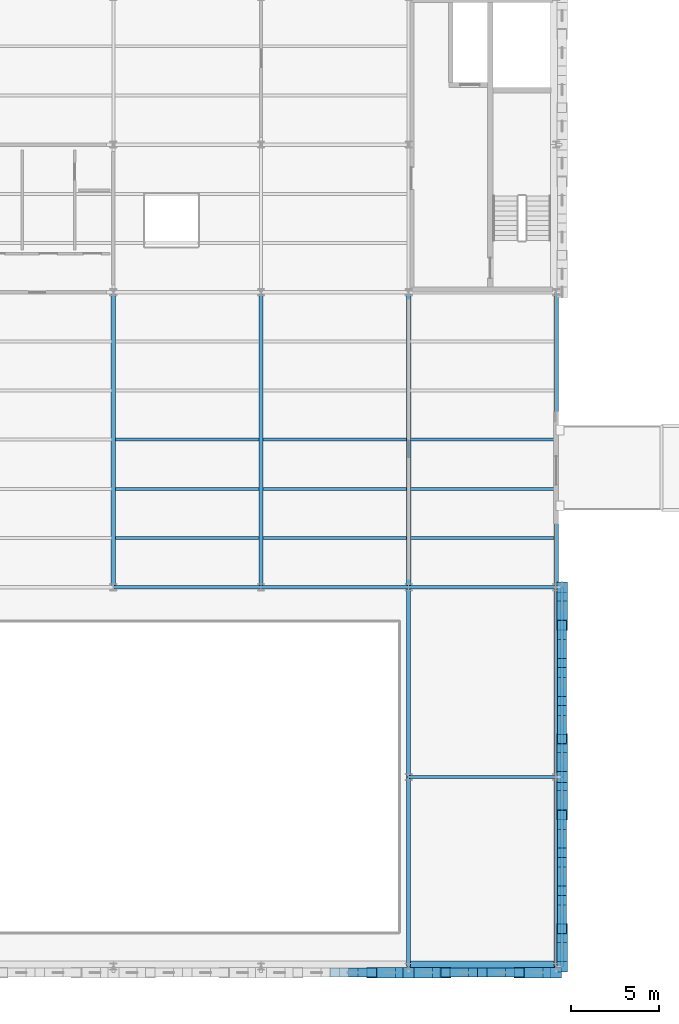
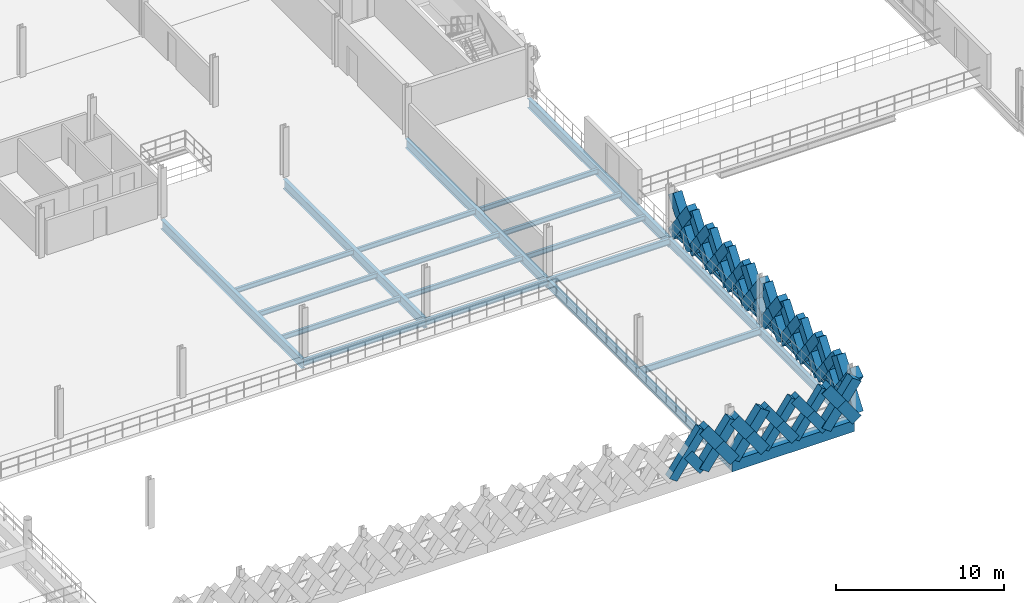
# One storey, part 28 of 101: 49 members, 22 beams.
"""IFC4 building model written with IfcOpenShell, lengths in metres."""

from ifc_helpers import new_model, si_unit, direction, frame, origin, origin_2d, place, context, subcontext, project, spatial, rectangle, hollow_rectangle, i_section, extrude, material, material_profile, profile_set, type_object, element, save


model = new_model("IFC4")

# Units and contexts
model_context = context("Model", 3, precision=1e-05, world=origin(), true_north=direction((0.0, 1.0)))
body_context = subcontext(model_context, "Body", "Model", "MODEL_VIEW")
ifc_project = project(units=[si_unit("LENGTHUNIT", "METRE"), si_unit("AREAUNIT", "SQUARE_METRE"), si_unit("VOLUMEUNIT", "CUBIC_METRE"), si_unit("PLANEANGLEUNIT", "RADIAN"), si_unit("MASSUNIT", "GRAM", prefix="KILO"), si_unit("THERMODYNAMICTEMPERATUREUNIT", "KELVIN"), si_unit("POWERUNIT", "WATT")], contexts=[model_context])

# Site, building, storey
site_placement = place(None, origin())
site = spatial("IfcSite", under=ifc_project, at=site_placement, CompositionType="ELEMENT")
building_placement = place(site_placement, origin())
building = spatial("IfcBuilding", under=site, at=building_placement, Name="Tembeka Court Mobility Hub", CompositionType="ELEMENT")
storey_placement = place(building_placement, frame((0.0, 0.0, 5.39990234375)))
storey = spatial("IfcBuildingStorey", under=building, at=storey_placement, Name="L01", CompositionType="ELEMENT", Elevation=5.39990234375)

# Beams
ifc_material_1 = material(Name="Steel S355", Category="steel")
ifc_material_profile_1 = material_profile(ifc_material_1, i_section(OverallWidth=0.18994140625, OverallDepth=0.45703125, WebThickness=0.009033203125, FlangeThickness=0.014404296875, FilletRadius=0.01025390625, at=origin_2d()), Name="UKB 457x191x74")
ifc_profile_set_1 = profile_set([ifc_material_profile_1], Name="Steel S355")
beam_type_1 = type_object("IfcBeamType", Name="BM-B01", PredefinedType="BEAM", material=ifc_profile_set_1)
beam_1_placement = place(storey_placement, frame((84.0, 10.800048828125, -0.448486328125), z_axis=(1.0, 0.0, 0.0), x_axis=(0.0, 1.0, 0.0)))
element("IfcBeam", 1, at=beam_1_placement, inside=storey, type_object=beam_type_1, Name="Beam B01 (BM-L01-X0623)", PredefinedType="BEAM", context=body_context, shape_type="SweptSolid", body=[
    extrude(i_section(OverallWidth=0.18994140625, OverallDepth=0.45703125, WebThickness=0.009033203125, FlangeThickness=0.014404296875, FilletRadius=0.01025390625, at=origin_2d()), origin(), (0.0, 0.0, 1.0), 8.39990234375),
])
beam_2_placement = place(storey_placement, frame((67.199951171875, 21.60009765625, -0.448486328125), z_axis=(1.0, 0.0, 0.0), x_axis=(0.0, 1.0, 0.0)))
element("IfcBeam", 2, at=beam_2_placement, inside=storey, type_object=beam_type_1, Name="Beam B01 (BM-L01-X0637)", PredefinedType="BEAM", context=body_context, shape_type="SweptSolid", body=[
    extrude(i_section(OverallWidth=0.18994140625, OverallDepth=0.45703125, WebThickness=0.009033203125, FlangeThickness=0.014404296875, FilletRadius=0.01025390625, at=origin_2d()), origin(), (0.0, 0.0, 1.0), 8.400146484375),
])
for number, where, z_axis, x_axis, name in (
    (3, (75.60009765625, 21.60009765625, -0.448486328125), (1.0, 0.0, 0.0), (0.0, 1.0, 0.0), "Beam B01 (BM-L01-X0638)"),
    (4, (84.0, 21.60009765625, -0.448486328125), (1.0, 0.0, 0.0), (0.0, 1.0, 0.0), "Beam B01 (BM-L01-X0639)"),
):
    element("IfcBeam", number, at=place(storey_placement, frame(where, z_axis=z_axis, x_axis=x_axis)), inside=storey, type_object=beam_type_1, Name=name, PredefinedType="BEAM", context=body_context, shape_type="SweptSolid", body=[
        extrude(i_section(OverallWidth=0.18994140625, OverallDepth=0.45703125, WebThickness=0.009033203125, FlangeThickness=0.014404296875, FilletRadius=0.01025390625, at=origin_2d()), origin(), (0.0, 0.0, 1.0), 8.39990234375),
    ])
ifc_material_profile_2 = material_profile(ifc_material_1, i_section(OverallWidth=0.25390625, OverallDepth=0.68408203125, WebThickness=0.012451171875, FlangeThickness=0.01904296875, FilletRadius=0.01513671875, at=origin_2d()), Name="UKB 686x254x140")
ifc_profile_set_2 = profile_set([ifc_material_profile_2], Name="Steel S355")
beam_type_2 = type_object("IfcBeamType", Name="BM-G01", PredefinedType="USERDEFINED", material=ifc_profile_set_2)
for number, where, z_axis, x_axis, name in (
    (5, (67.199951171875, 21.60009765625, -0.56201171875), (0.0, 1.0, 0.0), (-1.0, 0.0, 0.0), "Beam G01 (BM-L01-Y0830)"),
    (6, (75.60009765625, 21.60009765625, -0.56201171875), (0.0, 1.0, 0.0), (-1.0, 0.0, 0.0), "Beam G01 (BM-L01-Y0837)"),
    (7, (84.0, 21.60009765625, -0.56201171875), (0.0, 1.0, 0.0), (-1.0, 0.0, 0.0), "Beam G01 (BM-L01-Y0846)"),
    (8, (92.39990234375, 21.60009765625, -0.572021484375), (0.0, 1.0, 0.0), (-1.0, 0.0, 0.0), "Beam G01 (BM-L01-Y0857)"),
):
    element("IfcBeam", number, at=place(storey_placement, frame(where, z_axis=z_axis, x_axis=x_axis)), inside=storey, type_object=beam_type_2, Name=name, ObjectType="GIRDER", PredefinedType="USERDEFINED", context=body_context, shape_type="SweptSolid", body=[
        extrude(i_section(OverallWidth=0.25390625, OverallDepth=0.68408203125, WebThickness=0.012451171875, FlangeThickness=0.01904296875, FilletRadius=0.01513671875, at=origin_2d()), origin(), (0.0, 0.0, 1.0), 16.7998046875),
    ])
ifc_material_profile_3 = material_profile(ifc_material_1, i_section(OverallWidth=0.22900390625, OverallDepth=0.612060546875, WebThickness=0.011962890625, FlangeThickness=0.01953125, FilletRadius=0.0126953125, at=origin_2d()), Name="UKB 610x229x125")
ifc_profile_set_3 = profile_set([ifc_material_profile_3], Name="Steel S355")
beam_type_3 = type_object("IfcBeamType", Name="BM-G02", PredefinedType="USERDEFINED", material=ifc_profile_set_3)
for number, where, z_axis, x_axis, name in (
    (9, (84.0, 0.0, -0.52587890625), (0.0, 1.0, 0.0), (-1.0, 0.0, 0.0), "Beam G02 (BM-L01-Y0844)"),
    (10, (84.0, 10.800048828125, -0.52587890625), (0.0, 1.0, 0.0), (-1.0, 0.0, 0.0), "Beam G02 (BM-L01-Y0845)"),
    (11, (92.39990234375, 0.0, -0.52587890625), (0.0, 1.0, 0.0), (-1.0, 0.0, 0.0), "Beam G02 (BM-L01-Y0855)"),
    (12, (92.39990234375, 10.800048828125, -0.52587890625), (0.0, 1.0, 0.0), (-1.0, 0.0, 0.0), "Beam G02 (BM-L01-Y0856)"),
):
    element("IfcBeam", number, at=place(storey_placement, frame(where, z_axis=z_axis, x_axis=x_axis)), inside=storey, type_object=beam_type_3, Name=name, ObjectType="GIRDER", PredefinedType="USERDEFINED", context=body_context, shape_type="SweptSolid", body=[
        extrude(i_section(OverallWidth=0.22900390625, OverallDepth=0.612060546875, WebThickness=0.011962890625, FlangeThickness=0.01953125, FilletRadius=0.0126953125, at=origin_2d()), origin(), (0.0, 0.0, 1.0), 10.800048828125),
    ])
ifc_material_profile_4 = material_profile(ifc_material_1, i_section(OverallWidth=0.172119140625, OverallDepth=0.35498046875, WebThickness=0.00732421875, FlangeThickness=0.011474609375, FilletRadius=0.01025390625, at=origin_2d()), Name="UKB 356x171x51")
ifc_profile_set_4 = profile_set([ifc_material_profile_4], Name="Steel S355")
beam_type_4 = type_object("IfcBeamType", Name="BM-J01", PredefinedType="JOIST", material=ifc_profile_set_4)
for number, where, z_axis, x_axis, name in (
    (13, (67.322021484375, 24.39990234375, -0.3974609375), (1.0, 0.0, 0.0), (0.0, 1.0, 0.0), "Beam J01 (JST-L01-1055)"),
    (14, (67.322021484375, 27.199951171875, -0.3974609375), (1.0, 0.0, 0.0), (0.0, 1.0, 0.0), "Beam J01 (JST-L01-1056)"),
    (15, (67.322021484375, 30.0, -0.3974609375), (1.0, 0.0, 0.0), (0.0, 1.0, 0.0), "Beam J01 (JST-L01-1057)"),
    (16, (75.721923828125, 24.39990234375, -0.3974609375), (1.0, 0.0, 0.0), (0.0, 1.0, 0.0), "Beam J01 (JST-L01-1075)"),
    (17, (75.721923828125, 27.199951171875, -0.3974609375), (1.0, 0.0, 0.0), (0.0, 1.0, 0.0), "Beam J01 (JST-L01-1076)"),
    (18, (75.721923828125, 30.0, -0.3974609375), (1.0, 0.0, 0.0), (0.0, 1.0, 0.0), "Beam J01 (JST-L01-1077)"),
    (19, (84.1220703125, 24.39990234375, -0.3974609375), (1.0, 0.0, 0.0), (0.0, 1.0, 0.0), "Beam J01 (JST-L01-1095)"),
    (20, (84.1220703125, 27.199951171875, -0.407470703125), (1.0, 0.0, 0.0), (0.0, 1.0, 0.0), "Beam J01 (JST-L01-1096)"),
    (21, (84.1220703125, 30.0, -0.407470703125), (1.0, 0.0, 0.0), (0.0, 1.0, 0.0), "Beam J01 (JST-L01-1097)"),
):
    element("IfcBeam", number, at=place(storey_placement, frame(where, z_axis=z_axis, x_axis=x_axis)), inside=storey, type_object=beam_type_4, Name=name, PredefinedType="JOIST", context=body_context, shape_type="SweptSolid", body=[
        extrude(i_section(OverallWidth=0.172119140625, OverallDepth=0.35498046875, WebThickness=0.00732421875, FlangeThickness=0.011474609375, FilletRadius=0.01025390625, at=origin_2d()), origin(), (0.0, 0.0, 1.0), 8.156005859375),
    ])
ifc_material_2 = material(Name="Precast concrete C45/55", Category="concrete")
ifc_material_profile_5 = material_profile(ifc_material_2, rectangle(XDim=0.64990234375, YDim=0.800048828125, at=origin_2d()), Name="PC-SP 650x800")
ifc_profile_set_5 = profile_set([ifc_material_profile_5], Name="Precast concrete C45/55")
beam_type_5 = type_object("IfcBeamType", Name="BM-SP01", PredefinedType="SPANDREL", material=ifc_profile_set_5)
beam_3_placement = place(storey_placement, frame((84.0, 0.0, -0.619873046875), z_axis=(1.0, 0.0, 0.0), x_axis=(0.0, 1.0, 0.0)))
element("IfcBeam", 22, at=beam_3_placement, inside=storey, type_object=beam_type_5, Name="Beam SP01 (BM-L01-X0615)", PredefinedType="SPANDREL", context=body_context, shape_type="SweptSolid", body=[
    extrude(rectangle(XDim=0.64990234375, YDim=0.800048828125, at=origin_2d()), origin(), (0.0, 0.0, 1.0), 8.39990234375),
])

# Members
ifc_material_profile_6 = material_profile(ifc_material_2, rectangle(XDim=0.5, YDim=0.64990234375, at=origin_2d()), Name="PC-DIAG 500x650")
ifc_profile_set_6 = profile_set([ifc_material_profile_6], Name="Precast concrete C45/55")
member_type_1 = type_object("IfcMemberType", Name="MEM-DL01", PredefinedType="BRACE", material=ifc_profile_set_6)
member_1_placement = place(storey_placement, frame((79.800048828125, -0.340087890625, 0.02001953125), z_axis=(0.582499552306, 0.0, 0.812831022762), x_axis=(0.0, 1.0, 0.0)))
element("IfcMember", 23, at=member_1_placement, inside=storey, type_object=member_type_1, Name="Precast diamond lattice continuous strand DL01 (L01-39A)", PredefinedType="BRACE", context=body_context, shape_type="SweptSolid", body=[
    extrude(rectangle(XDim=0.5, YDim=0.64990234375, at=origin_2d()), origin(), (0.0, 0.0, 1.0), 3.60498046875),
])
member_2_placement = place(storey_placement, frame((81.89990234375, -0.340087890625, 0.02001953125), z_axis=(-0.582454804382, 0.0, 0.812863088627), x_axis=(0.0, -1.0, 0.0)))
element("IfcMember", 24, at=member_2_placement, inside=storey, type_object=member_type_1, Name="Precast diamond lattice split lower strand DL01 (L01-39B1)", PredefinedType="BRACE", context=body_context, shape_type="SweptSolid", body=[
    extrude(rectangle(XDim=0.5, YDim=0.64990234375, at=origin_2d()), origin(), (0.0, 0.0, 1.0), 1.802490234375),
])
member_3_placement = place(storey_placement, frame((86.10009765625, -0.340087890625, 0.02001953125), z_axis=(0.582499552306, 0.0, 0.812831022762), x_axis=(0.0, 1.0, 0.0)))
element("IfcMember", 25, at=member_3_placement, inside=storey, type_object=member_type_1, Name="Precast diamond lattice continuous strand DL01 (L01-42A)", PredefinedType="BRACE", context=body_context, shape_type="SweptSolid", body=[
    extrude(rectangle(XDim=0.5, YDim=0.64990234375, at=origin_2d()), origin(), (0.0, 0.0, 1.0), 3.60498046875),
])
for number, where, z_axis, x_axis, name in (
    (26, (88.199951171875, -0.340087890625, 0.02001953125), (-0.582544294934, 0.0, 0.812798956963), (0.0, -1.0, 0.0), "Precast diamond lattice split lower strand DL01 (L01-42B1)"),
    (27, (87.14990234375, -0.340087890625, 1.485107421875), (-0.582454804382, 0.0, 0.812863088627), (0.0, -1.0, 0.0), "Precast diamond lattice split upper strand DL01 (L01-42B2)"),
):
    element("IfcMember", number, at=place(storey_placement, frame(where, z_axis=z_axis, x_axis=x_axis)), inside=storey, type_object=member_type_1, Name=name, PredefinedType="BRACE", context=body_context, shape_type="SweptSolid", body=[
        extrude(rectangle(XDim=0.5, YDim=0.64990234375, at=origin_2d()), origin(), (0.0, 0.0, 1.0), 1.802490234375),
    ])
member_4_placement = place(storey_placement, frame((88.199951171875, -0.340087890625, 0.02001953125), z_axis=(0.582544294934, 0.0, 0.812798956963), x_axis=(0.0, 1.0, 0.0)))
element("IfcMember", 28, at=member_4_placement, inside=storey, type_object=member_type_1, Name="Precast diamond lattice continuous strand DL01 (L01-43A)", PredefinedType="BRACE", context=body_context, shape_type="SweptSolid", body=[
    extrude(rectangle(XDim=0.5, YDim=0.64990234375, at=origin_2d()), origin(), (0.0, 0.0, 1.0), 3.60498046875),
])
for number, where, z_axis, x_axis, name in (
    (29, (90.300048828125, -0.340087890625, 0.02001953125), (-0.582544294934, 0.0, 0.812798956963), (0.0, -1.0, 0.0), "Precast diamond lattice split lower strand DL01 (L01-43B1)"),
    (30, (89.25, -0.340087890625, 1.485107421875), (-0.582544294934, 0.0, 0.812798956963), (0.0, -1.0, 0.0), "Precast diamond lattice split upper strand DL01 (L01-43B2)"),
):
    element("IfcMember", number, at=place(storey_placement, frame(where, z_axis=z_axis, x_axis=x_axis)), inside=storey, type_object=member_type_1, Name=name, PredefinedType="BRACE", context=body_context, shape_type="SweptSolid", body=[
        extrude(rectangle(XDim=0.5, YDim=0.64990234375, at=origin_2d()), origin(), (0.0, 0.0, 1.0), 1.802490234375),
    ])
member_5_placement = place(storey_placement, frame((92.739990234375, 2.159912109375, 0.02001953125), z_axis=(0.0, 0.593391185876, 0.804914219358), x_axis=(-1.0, 0.0, 0.0)))
element("IfcMember", 31, at=member_5_placement, inside=storey, type_object=member_type_1, Name="Precast diamond lattice continuous strand DL01 (L01-146C)", PredefinedType="BRACE", context=body_context, shape_type="SweptSolid", body=[
    extrude(rectangle(XDim=0.5, YDim=0.64990234375, at=origin_2d()), origin(), (0.0, 0.0, 1.0), 3.640380859375),
])
for number, where, z_axis, x_axis, name in (
    (32, (92.739990234375, 4.320068359375, 0.02001953125), (0.0, -0.593391185876, 0.804914219358), (1.0, 0.0, 0.0), "Precast diamond lattice split lower strand DL01 (L01-146D1)"),
    (33, (92.739990234375, 3.239990234375, 1.485107421875), (0.0, -0.593391185876, 0.804914219358), (1.0, 0.0, 0.0), "Precast diamond lattice split upper strand DL01 (L01-146D2)"),
):
    element("IfcMember", number, at=place(storey_placement, frame(where, z_axis=z_axis, x_axis=x_axis)), inside=storey, type_object=member_type_1, Name=name, PredefinedType="BRACE", context=body_context, shape_type="SweptSolid", body=[
        extrude(rectangle(XDim=0.5, YDim=0.64990234375, at=origin_2d()), origin(), (0.0, 0.0, 1.0), 1.820068359375),
    ])
member_6_placement = place(storey_placement, frame((92.739990234375, 4.320068359375, 0.02001953125), z_axis=(0.0, 0.593347732742, 0.804946251653), x_axis=(-1.0, 0.0, 0.0)))
element("IfcMember", 34, at=member_6_placement, inside=storey, type_object=member_type_1, Name="Precast diamond lattice continuous strand DL01 (L01-147C)", PredefinedType="BRACE", context=body_context, shape_type="SweptSolid", body=[
    extrude(rectangle(XDim=0.5, YDim=0.64990234375, at=origin_2d()), origin(), (0.0, 0.0, 1.0), 3.64013671875),
])
for number, where, z_axis, x_axis, name in (
    (35, (92.739990234375, 6.47998046875, 0.02001953125), (0.0, -0.593391185876, 0.804914219358), (1.0, 0.0, 0.0), "Precast diamond lattice split lower strand DL01 (L01-147D1)"),
    (36, (92.739990234375, 5.39990234375, 1.485107421875), (0.0, -0.593304274421, 0.804978284151), (1.0, 0.0, 0.0), "Precast diamond lattice split upper strand DL01 (L01-147D2)"),
):
    element("IfcMember", number, at=place(storey_placement, frame(where, z_axis=z_axis, x_axis=x_axis)), inside=storey, type_object=member_type_1, Name=name, PredefinedType="BRACE", context=body_context, shape_type="SweptSolid", body=[
        extrude(rectangle(XDim=0.5, YDim=0.64990234375, at=origin_2d()), origin(), (0.0, 0.0, 1.0), 1.820068359375),
    ])
member_7_placement = place(storey_placement, frame((92.739990234375, 6.47998046875, 0.02001953125), z_axis=(0.0, 0.593347732742, 0.804946251653), x_axis=(-1.0, 0.0, 0.0)))
element("IfcMember", 37, at=member_7_placement, inside=storey, type_object=member_type_1, Name="Precast diamond lattice continuous strand DL01 (L01-148C)", PredefinedType="BRACE", context=body_context, shape_type="SweptSolid", body=[
    extrude(rectangle(XDim=0.5, YDim=0.64990234375, at=origin_2d()), origin(), (0.0, 0.0, 1.0), 3.64013671875),
])
for number, where, z_axis, x_axis, name in (
    (38, (92.739990234375, 8.639892578125, 0.02001953125), (0.0, -0.593304274421, 0.804978284151), (1.0, 0.0, 0.0), "Precast diamond lattice split lower strand DL01 (L01-148D1)"),
    (39, (92.739990234375, 7.56005859375, 1.485107421875), (0.0, -0.593391185876, 0.804914219358), (1.0, 0.0, 0.0), "Precast diamond lattice split upper strand DL01 (L01-148D2)"),
):
    element("IfcMember", number, at=place(storey_placement, frame(where, z_axis=z_axis, x_axis=x_axis)), inside=storey, type_object=member_type_1, Name=name, PredefinedType="BRACE", context=body_context, shape_type="SweptSolid", body=[
        extrude(rectangle(XDim=0.5, YDim=0.64990234375, at=origin_2d()), origin(), (0.0, 0.0, 1.0), 1.820068359375),
    ])
member_8_placement = place(storey_placement, frame((92.739990234375, 12.9599609375, 0.02001953125), z_axis=(0.0, 0.593391185876, 0.804914219358), x_axis=(-1.0, 0.0, 0.0)))
element("IfcMember", 40, at=member_8_placement, inside=storey, type_object=member_type_1, Name="Precast diamond lattice continuous strand DL01 (L01-151C)", PredefinedType="BRACE", context=body_context, shape_type="SweptSolid", body=[
    extrude(rectangle(XDim=0.5, YDim=0.64990234375, at=origin_2d()), origin(), (0.0, 0.0, 1.0), 3.640380859375),
])
for number, where, z_axis, x_axis, name in (
    (41, (92.739990234375, 15.1201171875, 0.02001953125), (0.0, -0.593391185876, 0.804914219358), (1.0, 0.0, 0.0), "Precast diamond lattice split lower strand DL01 (L01-151D1)"),
    (42, (92.739990234375, 14.0400390625, 1.485107421875), (0.0, -0.593391185876, 0.804914219358), (1.0, 0.0, 0.0), "Precast diamond lattice split upper strand DL01 (L01-151D2)"),
):
    element("IfcMember", number, at=place(storey_placement, frame(where, z_axis=z_axis, x_axis=x_axis)), inside=storey, type_object=member_type_1, Name=name, PredefinedType="BRACE", context=body_context, shape_type="SweptSolid", body=[
        extrude(rectangle(XDim=0.5, YDim=0.64990234375, at=origin_2d()), origin(), (0.0, 0.0, 1.0), 1.820068359375),
    ])
member_9_placement = place(storey_placement, frame((92.739990234375, 15.1201171875, 0.02001953125), z_axis=(0.0, 0.593347732742, 0.804946251653), x_axis=(-1.0, 0.0, 0.0)))
element("IfcMember", 43, at=member_9_placement, inside=storey, type_object=member_type_1, Name="Precast diamond lattice continuous strand DL01 (L01-152C)", PredefinedType="BRACE", context=body_context, shape_type="SweptSolid", body=[
    extrude(rectangle(XDim=0.5, YDim=0.64990234375, at=origin_2d()), origin(), (0.0, 0.0, 1.0), 3.64013671875),
])
for number, where, z_axis, x_axis, name in (
    (44, (92.739990234375, 17.280029296875, 0.02001953125), (0.0, -0.593391185876, 0.804914219358), (1.0, 0.0, 0.0), "Precast diamond lattice split lower strand DL01 (L01-152D1)"),
    (45, (92.739990234375, 16.199951171875, 1.485107421875), (0.0, -0.593304274421, 0.804978284151), (1.0, 0.0, 0.0), "Precast diamond lattice split upper strand DL01 (L01-152D2)"),
):
    element("IfcMember", number, at=place(storey_placement, frame(where, z_axis=z_axis, x_axis=x_axis)), inside=storey, type_object=member_type_1, Name=name, PredefinedType="BRACE", context=body_context, shape_type="SweptSolid", body=[
        extrude(rectangle(XDim=0.5, YDim=0.64990234375, at=origin_2d()), origin(), (0.0, 0.0, 1.0), 1.820068359375),
    ])
member_10_placement = place(storey_placement, frame((92.739990234375, 17.280029296875, 0.02001953125), z_axis=(0.0, 0.593347732742, 0.804946251653), x_axis=(-1.0, 0.0, 0.0)))
element("IfcMember", 46, at=member_10_placement, inside=storey, type_object=member_type_1, Name="Precast diamond lattice continuous strand DL01 (L01-153C)", PredefinedType="BRACE", context=body_context, shape_type="SweptSolid", body=[
    extrude(rectangle(XDim=0.5, YDim=0.64990234375, at=origin_2d()), origin(), (0.0, 0.0, 1.0), 3.64013671875),
])
for number, where, z_axis, x_axis, name in (
    (47, (92.739990234375, 19.43994140625, 0.02001953125), (0.0, -0.593304274421, 0.804978284151), (1.0, 0.0, 0.0), "Precast diamond lattice split lower strand DL01 (L01-153D1)"),
    (48, (92.739990234375, 18.360107421875, 1.485107421875), (0.0, -0.593391185876, 0.804914219358), (1.0, 0.0, 0.0), "Precast diamond lattice split upper strand DL01 (L01-153D2)"),
):
    element("IfcMember", number, at=place(storey_placement, frame(where, z_axis=z_axis, x_axis=x_axis)), inside=storey, type_object=member_type_1, Name=name, PredefinedType="BRACE", context=body_context, shape_type="SweptSolid", body=[
        extrude(rectangle(XDim=0.5, YDim=0.64990234375, at=origin_2d()), origin(), (0.0, 0.0, 1.0), 1.820068359375),
    ])
ifc_material_profile_7 = material_profile(ifc_material_2, rectangle(XDim=0.60009765625, YDim=0.75, at=origin_2d()), Name="PC-DIAG 600x750")
ifc_profile_set_7 = profile_set([ifc_material_profile_7], Name="Precast concrete C45/55")
member_type_2 = type_object("IfcMemberType", Name="MEM-DL02", PredefinedType="BRACE", material=ifc_profile_set_7)
member_11_placement = place(storey_placement, frame((81.89990234375, -0.340087890625, 0.02001953125), z_axis=(0.582544294934, 0.0, 0.812798956963), x_axis=(0.0, 1.0, 0.0)))
element("IfcMember", 49, at=member_11_placement, inside=storey, type_object=member_type_2, Name="Precast diamond lattice continuous strand DL02 (L01-40A)", PredefinedType="BRACE", context=body_context, shape_type="SweptSolid", body=[
    extrude(rectangle(XDim=0.60009765625, YDim=0.75, at=origin_2d()), origin(), (0.0, 0.0, 1.0), 3.60498046875),
])
for number, where, z_axis, x_axis, name in (
    (50, (84.0, -0.340087890625, 0.02001953125), (-0.582544294934, 0.0, 0.812798956963), (0.0, -1.0, 0.0), "Precast diamond lattice split lower strand DL02 (L01-40B1)"),
    (51, (82.949951171875, -0.340087890625, 1.485107421875), (-0.582544294934, 0.0, 0.812798956963), (0.0, -1.0, 0.0), "Precast diamond lattice split upper strand DL02 (L01-40B2)"),
):
    element("IfcMember", number, at=place(storey_placement, frame(where, z_axis=z_axis, x_axis=x_axis)), inside=storey, type_object=member_type_2, Name=name, PredefinedType="BRACE", context=body_context, shape_type="SweptSolid", body=[
        extrude(rectangle(XDim=0.60009765625, YDim=0.75, at=origin_2d()), origin(), (0.0, 0.0, 1.0), 1.802490234375),
    ])
member_12_placement = place(storey_placement, frame((84.0, -0.340087890625, 0.02001953125), z_axis=(0.582544294934, 0.0, 0.812798956963), x_axis=(0.0, 1.0, 0.0)))
element("IfcMember", 52, at=member_12_placement, inside=storey, type_object=member_type_2, Name="Precast diamond lattice continuous strand DL02 (L01-41A)", PredefinedType="BRACE", context=body_context, shape_type="SweptSolid", body=[
    extrude(rectangle(XDim=0.60009765625, YDim=0.75, at=origin_2d()), origin(), (0.0, 0.0, 1.0), 3.60498046875),
])
for number, where, z_axis, x_axis, name in (
    (53, (86.10009765625, -0.340087890625, 0.02001953125), (-0.582544294934, 0.0, 0.812798956963), (0.0, -1.0, 0.0), "Precast diamond lattice split lower strand DL02 (L01-41B1)"),
    (54, (85.050048828125, -0.340087890625, 1.485107421875), (-0.582544294934, 0.0, 0.812798956963), (0.0, -1.0, 0.0), "Precast diamond lattice split upper strand DL02 (L01-41B2)"),
):
    element("IfcMember", number, at=place(storey_placement, frame(where, z_axis=z_axis, x_axis=x_axis)), inside=storey, type_object=member_type_2, Name=name, PredefinedType="BRACE", context=body_context, shape_type="SweptSolid", body=[
        extrude(rectangle(XDim=0.60009765625, YDim=0.75, at=origin_2d()), origin(), (0.0, 0.0, 1.0), 1.802490234375),
    ])
member_13_placement = place(storey_placement, frame((90.300048828125, -0.340087890625, 0.02001953125), z_axis=(0.582499552306, 0.0, 0.812831022762), x_axis=(0.0, 1.0, 0.0)))
element("IfcMember", 55, at=member_13_placement, inside=storey, type_object=member_type_2, Name="Precast diamond lattice continuous strand DL02 (L01-44A)", PredefinedType="BRACE", context=body_context, shape_type="SweptSolid", body=[
    extrude(rectangle(XDim=0.60009765625, YDim=0.75, at=origin_2d()), origin(), (0.0, 0.0, 1.0), 3.60498046875),
])
for number, where, z_axis, x_axis, name in (
    (56, (92.39990234375, -0.340087890625, 0.02001953125), (-0.582454804382, 0.0, 0.812863088627), (0.0, -1.0, 0.0), "Precast diamond lattice split lower strand DL02 (L01-44B1)"),
    (57, (91.35009765625, -0.340087890625, 1.485107421875), (-0.582544294934, 0.0, 0.812798956963), (0.0, -1.0, 0.0), "Precast diamond lattice split upper strand DL02 (L01-44B2)"),
):
    element("IfcMember", number, at=place(storey_placement, frame(where, z_axis=z_axis, x_axis=x_axis)), inside=storey, type_object=member_type_2, Name=name, PredefinedType="BRACE", context=body_context, shape_type="SweptSolid", body=[
        extrude(rectangle(XDim=0.60009765625, YDim=0.75, at=origin_2d()), origin(), (0.0, 0.0, 1.0), 1.802490234375),
    ])
member_14_placement = place(storey_placement, frame((92.739990234375, 0.0, 0.02001953125), z_axis=(0.0, 0.593347732742, 0.804946251653), x_axis=(-1.0, 0.0, 0.0)))
element("IfcMember", 58, at=member_14_placement, inside=storey, type_object=member_type_2, Name="Precast diamond lattice continuous strand DL02 (L01-145C)", PredefinedType="BRACE", context=body_context, shape_type="SweptSolid", body=[
    extrude(rectangle(XDim=0.60009765625, YDim=0.75, at=origin_2d()), origin(), (0.0, 0.0, 1.0), 3.64013671875),
])
for number, where, z_axis, x_axis, name in (
    (59, (92.739990234375, 2.159912109375, 0.02001953125), (0.0, -0.593304274421, 0.804978284151), (1.0, 0.0, 0.0), "Precast diamond lattice split lower strand DL02 (L01-145D1)"),
    (60, (92.739990234375, 1.080078125, 1.485107421875), (0.0, -0.593391185876, 0.804914219358), (1.0, 0.0, 0.0), "Precast diamond lattice split upper strand DL02 (L01-145D2)"),
):
    element("IfcMember", number, at=place(storey_placement, frame(where, z_axis=z_axis, x_axis=x_axis)), inside=storey, type_object=member_type_2, Name=name, PredefinedType="BRACE", context=body_context, shape_type="SweptSolid", body=[
        extrude(rectangle(XDim=0.60009765625, YDim=0.75, at=origin_2d()), origin(), (0.0, 0.0, 1.0), 1.820068359375),
    ])
member_15_placement = place(storey_placement, frame((92.739990234375, 8.639892578125, 0.02001953125), z_axis=(0.0, 0.593391185876, 0.804914219358), x_axis=(-1.0, 0.0, 0.0)))
element("IfcMember", 61, at=member_15_placement, inside=storey, type_object=member_type_2, Name="Precast diamond lattice continuous strand DL02 (L01-149C)", PredefinedType="BRACE", context=body_context, shape_type="SweptSolid", body=[
    extrude(rectangle(XDim=0.60009765625, YDim=0.75, at=origin_2d()), origin(), (0.0, 0.0, 1.0), 3.640380859375),
])
for number, where, z_axis, x_axis, name in (
    (62, (92.739990234375, 10.800048828125, 0.02001953125), (0.0, -0.593391185876, 0.804914219358), (1.0, 0.0, 0.0), "Precast diamond lattice split lower strand DL02 (L01-149D1)"),
    (63, (92.739990234375, 9.719970703125, 1.485107421875), (0.0, -0.593391185876, 0.804914219358), (1.0, 0.0, 0.0), "Precast diamond lattice split upper strand DL02 (L01-149D2)"),
):
    element("IfcMember", number, at=place(storey_placement, frame(where, z_axis=z_axis, x_axis=x_axis)), inside=storey, type_object=member_type_2, Name=name, PredefinedType="BRACE", context=body_context, shape_type="SweptSolid", body=[
        extrude(rectangle(XDim=0.60009765625, YDim=0.75, at=origin_2d()), origin(), (0.0, 0.0, 1.0), 1.820068359375),
    ])
member_16_placement = place(storey_placement, frame((92.739990234375, 10.800048828125, 0.02001953125), z_axis=(0.0, 0.593347732742, 0.804946251653), x_axis=(-1.0, 0.0, 0.0)))
element("IfcMember", 64, at=member_16_placement, inside=storey, type_object=member_type_2, Name="Precast diamond lattice continuous strand DL02 (L01-150C)", PredefinedType="BRACE", context=body_context, shape_type="SweptSolid", body=[
    extrude(rectangle(XDim=0.60009765625, YDim=0.75, at=origin_2d()), origin(), (0.0, 0.0, 1.0), 3.64013671875),
])
for number, where, z_axis, x_axis, name in (
    (65, (92.739990234375, 12.9599609375, 0.02001953125), (0.0, -0.593391185876, 0.804914219358), (1.0, 0.0, 0.0), "Precast diamond lattice split lower strand DL02 (L01-150D1)"),
    (66, (92.739990234375, 11.8798828125, 1.485107421875), (0.0, -0.593304274421, 0.804978284151), (1.0, 0.0, 0.0), "Precast diamond lattice split upper strand DL02 (L01-150D2)"),
):
    element("IfcMember", number, at=place(storey_placement, frame(where, z_axis=z_axis, x_axis=x_axis)), inside=storey, type_object=member_type_2, Name=name, PredefinedType="BRACE", context=body_context, shape_type="SweptSolid", body=[
        extrude(rectangle(XDim=0.60009765625, YDim=0.75, at=origin_2d()), origin(), (0.0, 0.0, 1.0), 1.820068359375),
    ])
member_17_placement = place(storey_placement, frame((92.739990234375, 19.43994140625, 0.02001953125), z_axis=(0.0, 0.593391185876, 0.804914219358), x_axis=(-1.0, 0.0, 0.0)))
element("IfcMember", 67, at=member_17_placement, inside=storey, type_object=member_type_2, Name="Precast diamond lattice continuous strand DL02 (L01-154C)", PredefinedType="BRACE", context=body_context, shape_type="SweptSolid", body=[
    extrude(rectangle(XDim=0.60009765625, YDim=0.75, at=origin_2d()), origin(), (0.0, 0.0, 1.0), 3.640380859375),
])
for number, where, z_axis, x_axis, name in (
    (68, (92.739990234375, 21.60009765625, 0.02001953125), (0.0, -0.593391185876, 0.804914219358), (1.0, 0.0, 0.0), "Precast diamond lattice split lower strand DL02 (L01-154D1)"),
    (69, (92.739990234375, 20.52001953125, 1.485107421875), (0.0, -0.593391185876, 0.804914219358), (1.0, 0.0, 0.0), "Precast diamond lattice split upper strand DL02 (L01-154D2)"),
):
    element("IfcMember", number, at=place(storey_placement, frame(where, z_axis=z_axis, x_axis=x_axis)), inside=storey, type_object=member_type_2, Name=name, PredefinedType="BRACE", context=body_context, shape_type="SweptSolid", body=[
        extrude(rectangle(XDim=0.60009765625, YDim=0.75, at=origin_2d()), origin(), (0.0, 0.0, 1.0), 1.820068359375),
    ])
ifc_material_profile_8 = material_profile(ifc_material_1, hollow_rectangle(XDim=0.14990234375, YDim=0.300048828125, WallThickness=0.010009765625, at=origin_2d()), Name="RHS 300x150x10")
ifc_profile_set_8 = profile_set([ifc_material_profile_8], Name="Steel S355")
member_type_3 = type_object("IfcMemberType", Name="MEM-ST03", PredefinedType="STRUT", material=ifc_profile_set_8)
for number, where, z_axis, x_axis, name in (
    (70, (92.739990234375, 0.0, 0.02001953125), (0.0, 1.0, 0.0), (-1.0, 0.0, 0.0), "Proud lattice sill tie chord SR03 (L01-E-0)"),
    (71, (92.739990234375, 10.800048828125, 0.02001953125), (0.0, 1.0, 0.0), (-1.0, 0.0, 0.0), "Proud lattice sill tie chord SR03 (L01-E-10)"),
):
    element("IfcMember", number, at=place(storey_placement, frame(where, z_axis=z_axis, x_axis=x_axis)), inside=storey, type_object=member_type_3, Name=name, PredefinedType="STRUT", context=body_context, shape_type="SweptSolid", body=[
        extrude(hollow_rectangle(XDim=0.14990234375, YDim=0.300048828125, WallThickness=0.010009765625, at=origin_2d()), origin(), (0.0, 0.0, 1.0), 10.800048828125),
    ])

save(model, "model.ifc")
